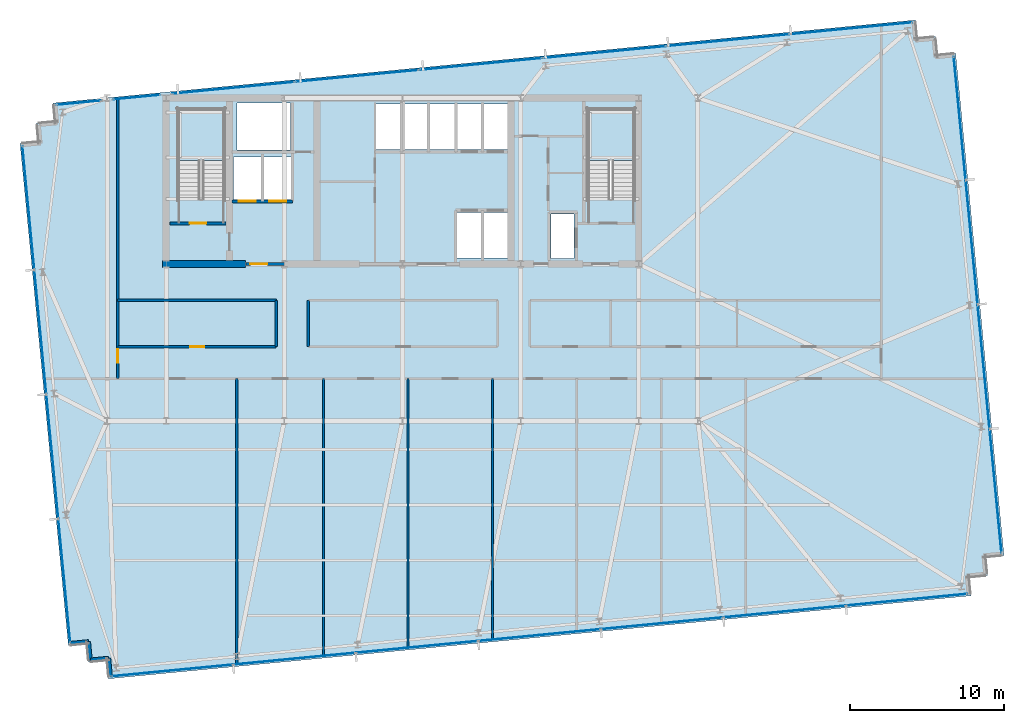
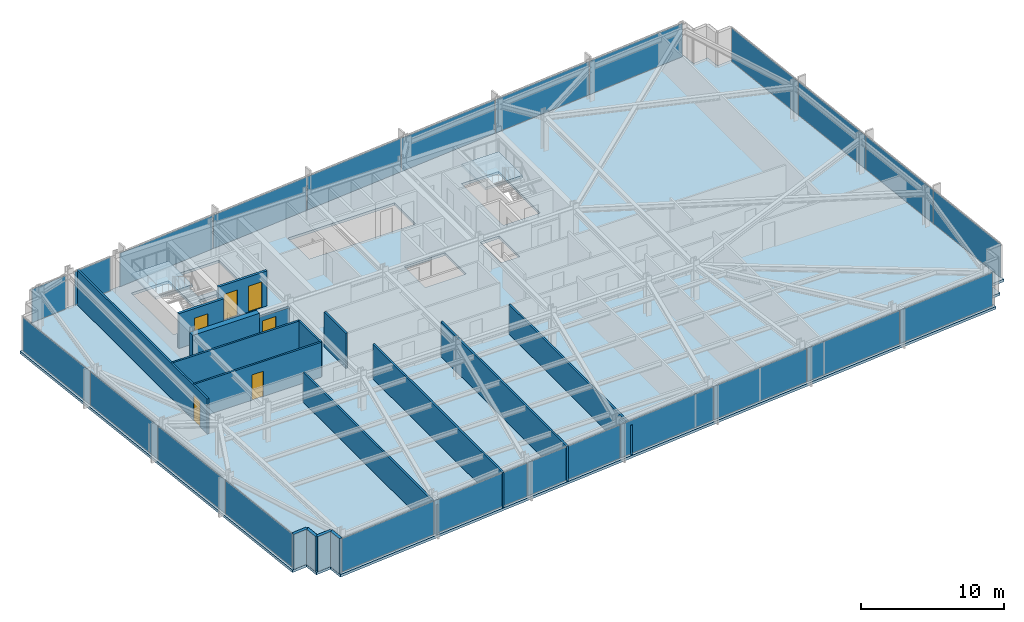
# One storey, part 24 of 32: 23 plates, 17 walls, 6 doors, 3 slabs, 6 openings, 8 elements without a shape of their own.
"""IFC4 building model written with IfcOpenShell, lengths in metres."""

from ifc_helpers import new_model, si_unit, direction, frame, frame_2d, origin, origin_2d, place, context, subcontext, project, spatial, polyline, rectangle, outline, extrude, material, layer, layer_set, type_object, element, fill, aggregate, save


model = new_model("IFC4")

# Units and contexts
model_context = context("Model", 3, precision=1e-05, world=origin(), true_north=direction((0.0, 1.0)))
body_context = subcontext(model_context, "Body", "Model", "MODEL_VIEW")
ifc_project = project(units=[si_unit("LENGTHUNIT", "METRE"), si_unit("AREAUNIT", "SQUARE_METRE"), si_unit("VOLUMEUNIT", "CUBIC_METRE"), si_unit("PLANEANGLEUNIT", "RADIAN"), si_unit("MASSUNIT", "GRAM", prefix="KILO")], contexts=[model_context])

# Site, building, storey
site_placement = place(None, origin())
site = spatial("IfcSite", under=ifc_project, at=site_placement, CompositionType="ELEMENT")
building_placement = place(site_placement, origin())
building = spatial("IfcBuilding", under=site, at=building_placement, Name="Yelkora Congress Tower", CompositionType="ELEMENT")
storey_placement = place(building_placement, frame((0.0, 0.0, 133.89990234375)))
storey = spatial("IfcBuildingStorey", under=building, at=storey_placement, Name="L36", CompositionType="ELEMENT", Elevation=133.89990234375)

# Curtain wall, plates
ifc_material_1 = material(Name="Anodised aluminium and insulated glass", Category="aluminium")
curtain_wall_type = type_object("IfcCurtainWallType", Name="CW-SYS-B2", PredefinedType="NOTDEFINED", material=ifc_material_1)
curtain_wall_1_placement = place(storey_placement, origin())
curtain_wall_1 = element("IfcCurtainWall", 1, at=curtain_wall_1_placement, inside=storey, type_object=curtain_wall_type, Name="L36 Unitised Curtain Wall 5", PredefinedType="NOTDEFINED")
ifc_material_2 = material(Name="Solar-control low-E glass unit B2", Category="glass")
ifc_layer_1 = layer(ifc_material_2, 0.0380859375)
ifc_layer_set_1 = layer_set([ifc_layer_1], Name="Solar-control low-E glass unit B2")
plate_type = type_object("IfcPlateType", Name="PLT-PN-B2", PredefinedType="CURTAIN_PANEL", material=ifc_layer_set_1)
plate_1_placement = place(storey_placement, frame((16.41650390625, 14.820068359375, 0.06494140625), z_axis=(0.0, 0.0, 1.0), x_axis=(-0.095842541913, 0.995396507508, 0.0)))
plate_1 = element("IfcPlate", 2, at=plate_1_placement, type_object=plate_type, Name="CW-B2 panel 1.1", PredefinedType="CURTAIN_PANEL", context=body_context, shape_type="SweptSolid", body=[
    extrude(rectangle(XDim=8.02490234375, YDim=0.0380859375, at=origin_2d()), origin(), (0.0, 0.0, 1.0), 2.85009765625),
])
plate_2_placement = place(storey_placement, frame((15.638916015625, 22.895263671875, 0.06494140625), z_axis=(0.0, 0.0, 1.0), x_axis=(-0.095842541913, 0.995396507508, 0.0)))
plate_2 = element("IfcPlate", 3, at=plate_2_placement, type_object=plate_type, Name="CW-B2 panel 2.1", PredefinedType="CURTAIN_PANEL", context=body_context, shape_type="SweptSolid", body=[
    extrude(rectangle(XDim=8.06005859375, YDim=0.0380859375, at=origin_2d()), origin(), (0.0, 0.0, 1.0), 2.85009765625),
])
plate_3_placement = place(storey_placement, frame((14.859619140625, 30.98779296875, 0.06494140625), z_axis=(0.0, 0.0, 1.0), x_axis=(-0.095842541913, 0.995396507508, 0.0)))
plate_3 = element("IfcPlate", 4, at=plate_3_placement, type_object=plate_type, Name="CW-B2 panel 3.1", PredefinedType="CURTAIN_PANEL", context=body_context, shape_type="SweptSolid", body=[
    extrude(rectangle(XDim=8.06005859375, YDim=0.0380859375, at=origin_2d()), origin(), (0.0, 0.0, 1.0), 2.85009765625),
])
plate_4_placement = place(storey_placement, frame((14.082275390625, 39.06298828125, 0.06494140625), z_axis=(0.0, 0.0, 1.0), x_axis=(-0.095842541913, 0.995396507508, 0.0)))
plate_4 = element("IfcPlate", 5, at=plate_4_placement, type_object=plate_type, Name="CW-B2 panel 4.1", PredefinedType="CURTAIN_PANEL", context=body_context, shape_type="SweptSolid", body=[
    extrude(rectangle(XDim=8.02490234375, YDim=0.0380859375, at=origin_2d()), origin(), (0.0, 0.0, 1.0), 2.85009765625),
])
aggregate(curtain_wall_1, [plate_1, plate_2, plate_3, plate_4])

# Curtain wall, plate
curtain_wall_2_placement = place(storey_placement, origin())
curtain_wall_2 = element("IfcCurtainWall", 6, at=curtain_wall_2_placement, inside=storey, type_object=curtain_wall_type, Name="L36 Unitised Curtain Wall 10 (1)", PredefinedType="NOTDEFINED")
plate_5_placement = place(storey_placement, frame((17.35888671875, 45.89111328125, 0.06494140625), z_axis=(0.0, 0.0, 1.0), x_axis=(0.99539681521, 0.095839346142, 0.0)))
plate_5 = element("IfcPlate", 7, at=plate_5_placement, type_object=plate_type, Name="CW-B2 panel 1.1", PredefinedType="CURTAIN_PANEL", context=body_context, shape_type="SweptSolid", body=[
    extrude(rectangle(XDim=2.89208984375, YDim=0.0380859375, at=origin_2d()), origin(), (0.0, 0.0, 1.0), 2.85009765625),
])
aggregate(curtain_wall_2, [plate_5])

curtain_wall_3_placement = place(storey_placement, origin())
curtain_wall_3 = element("IfcCurtainWall", 8, at=curtain_wall_3_placement, inside=storey, type_object=curtain_wall_type, Name="L36 Unitised Curtain Wall 10 (2)", PredefinedType="NOTDEFINED")
plate_6_placement = place(storey_placement, frame((21.1201171875, 46.253173828125, 0.06494140625), z_axis=(0.0, 0.0, 1.0), x_axis=(0.99539661748, 0.095841399764, 0.0)))
plate_6 = element("IfcPlate", 9, at=plate_6_placement, type_object=plate_type, Name="CW-B2 panel 1.1", PredefinedType="CURTAIN_PANEL", context=body_context, shape_type="SweptSolid", body=[
    extrude(rectangle(XDim=3.05078125, YDim=0.0380859375, at=origin_2d()), origin(), (0.0, 0.0, 1.0), 2.85009765625),
])
aggregate(curtain_wall_3, [plate_6])

# Curtain wall, plates
curtain_wall_4_placement = place(storey_placement, origin())
curtain_wall_4 = element("IfcCurtainWall", 10, at=curtain_wall_4_placement, inside=storey, type_object=curtain_wall_type, Name="L36 Unitised Curtain Wall 10 (3)", PredefinedType="NOTDEFINED")
plate_7_placement = place(storey_placement, frame((27.409423828125, 46.858642578125, 0.06494140625), z_axis=(0.0, 0.0, 1.0), x_axis=(0.995396344153, 0.095844238468, 0.0)))
plate_7 = element("IfcPlate", 11, at=plate_7_placement, type_object=plate_type, Name="CW-B2 panel 1.1", PredefinedType="CURTAIN_PANEL", context=body_context, shape_type="SweptSolid", body=[
    extrude(rectangle(XDim=7.97216796875, YDim=0.0380859375, at=origin_2d()), origin(), (0.0, 0.0, 1.0), 2.85009765625),
])
plate_8_placement = place(storey_placement, frame((35.431884765625, 47.631103515625, 0.06494140625), z_axis=(0.0, 0.0, 1.0), x_axis=(0.995396344153, 0.095844238468, 0.0)))
plate_8 = element("IfcPlate", 12, at=plate_8_placement, type_object=plate_type, Name="CW-B2 panel 2.1", PredefinedType="CURTAIN_PANEL", context=body_context, shape_type="SweptSolid", body=[
    extrude(rectangle(XDim=8.007080078125, YDim=0.0380859375, at=origin_2d()), origin(), (0.0, 0.0, 1.0), 2.85009765625),
])
plate_9_placement = place(storey_placement, frame((43.471923828125, 48.4052734375, 0.06494140625), z_axis=(0.0, 0.0, 1.0), x_axis=(0.995396344153, 0.095844238468, 0.0)))
plate_9 = element("IfcPlate", 13, at=plate_9_placement, type_object=plate_type, Name="CW-B2 panel 3.1", PredefinedType="CURTAIN_PANEL", context=body_context, shape_type="SweptSolid", body=[
    extrude(rectangle(XDim=8.007080078125, YDim=0.0380859375, at=origin_2d()), origin(), (0.0, 0.0, 1.0), 2.85009765625),
])
plate_10_placement = place(storey_placement, frame((51.511962890625, 49.179443359375, 0.06494140625), z_axis=(0.0, 0.0, 1.0), x_axis=(0.995396344153, 0.095844238468, 0.0)))
plate_10 = element("IfcPlate", 14, at=plate_10_placement, type_object=plate_type, Name="CW-B2 panel 4.1", PredefinedType="CURTAIN_PANEL", context=body_context, shape_type="SweptSolid", body=[
    extrude(rectangle(XDim=8.007080078125, YDim=0.0380859375, at=origin_2d()), origin(), (0.0, 0.0, 1.0), 2.85009765625),
])
plate_11_placement = place(storey_placement, frame((59.552001953125, 49.95361328125, 0.06494140625), z_axis=(0.0, 0.0, 1.0), x_axis=(0.995396344153, 0.095844238468, 0.0)))
plate_11 = element("IfcPlate", 15, at=plate_11_placement, type_object=plate_type, Name="CW-B2 panel 5.1", PredefinedType="CURTAIN_PANEL", context=body_context, shape_type="SweptSolid", body=[
    extrude(rectangle(XDim=8.007080078125, YDim=0.0380859375, at=origin_2d()), origin(), (0.0, 0.0, 1.0), 2.85009765625),
])
plate_12_placement = place(storey_placement, frame((67.574462890625, 50.72607421875, 0.06494140625), z_axis=(0.0, 0.0, 1.0), x_axis=(0.995396344153, 0.095844238468, 0.0)))
plate_12 = element("IfcPlate", 16, at=plate_12_placement, type_object=plate_type, Name="CW-B2 panel 6.1", PredefinedType="CURTAIN_PANEL", context=body_context, shape_type="SweptSolid", body=[
    extrude(rectangle(XDim=7.97216796875, YDim=0.0380859375, at=origin_2d()), origin(), (0.0, 0.0, 1.0), 2.85009765625),
])
aggregate(curtain_wall_4, [plate_7, plate_8, plate_9, plate_10, plate_11, plate_12])

curtain_wall_5_placement = place(storey_placement, origin())
curtain_wall_5 = element("IfcCurtainWall", 17, at=curtain_wall_5_placement, inside=storey, type_object=curtain_wall_type, Name="L36 Unitised Curtain Wall 15", PredefinedType="NOTDEFINED")
plate_13_placement = place(storey_placement, frame((74.6220703125, 44.892333984375, 0.06494140625), z_axis=(0.0, 0.0, 1.0), x_axis=(0.095842541913, -0.995396507508, 0.0)))
plate_13 = element("IfcPlate", 18, at=plate_13_placement, type_object=plate_type, Name="CW-B2 panel 1.1", PredefinedType="CURTAIN_PANEL", context=body_context, shape_type="SweptSolid", body=[
    extrude(rectangle(XDim=8.02490234375, YDim=0.0380859375, at=origin_2d()), origin(), (0.0, 0.0, 1.0), 2.85009765625),
])
plate_14_placement = place(storey_placement, frame((75.399658203125, 36.817138671875, 0.06494140625), z_axis=(0.0, 0.0, 1.0), x_axis=(0.095842541913, -0.995396507508, 0.0)))
plate_14 = element("IfcPlate", 19, at=plate_14_placement, type_object=plate_type, Name="CW-B2 panel 2.1", PredefinedType="CURTAIN_PANEL", context=body_context, shape_type="SweptSolid", body=[
    extrude(rectangle(XDim=8.06005859375, YDim=0.0380859375, at=origin_2d()), origin(), (0.0, 0.0, 1.0), 2.85009765625),
])
plate_15_placement = place(storey_placement, frame((76.178955078125, 28.724609375, 0.06494140625), z_axis=(0.0, 0.0, 1.0), x_axis=(0.095842541913, -0.995396507508, 0.0)))
plate_15 = element("IfcPlate", 20, at=plate_15_placement, type_object=plate_type, Name="CW-B2 panel 3.1", PredefinedType="CURTAIN_PANEL", context=body_context, shape_type="SweptSolid", body=[
    extrude(rectangle(XDim=8.06005859375, YDim=0.0380859375, at=origin_2d()), origin(), (0.0, 0.0, 1.0), 2.85009765625),
])
plate_16_placement = place(storey_placement, frame((76.95654296875, 20.6494140625, 0.06494140625), z_axis=(0.0, 0.0, 1.0), x_axis=(0.095842541913, -0.995396507508, 0.0)))
plate_16 = element("IfcPlate", 21, at=plate_16_placement, type_object=plate_type, Name="CW-B2 panel 4.1", PredefinedType="CURTAIN_PANEL", context=body_context, shape_type="SweptSolid", body=[
    extrude(rectangle(XDim=8.02490234375, YDim=0.0380859375, at=origin_2d()), origin(), (0.0, 0.0, 1.0), 2.85009765625),
])
aggregate(curtain_wall_5, [plate_13, plate_14, plate_15, plate_16])

curtain_wall_6_placement = place(storey_placement, origin())
curtain_wall_6 = element("IfcCurtainWall", 22, at=curtain_wall_6_placement, inside=storey, type_object=curtain_wall_type, Name="L36 Unitised Curtain Wall 20", PredefinedType="NOTDEFINED")
plate_17_placement = place(storey_placement, frame((71.1884765625, 13.58154296875, 0.06494140625), z_axis=(0.0, 0.0, 1.0), x_axis=(-0.995396333816, -0.095844345816, 0.0)))
plate_17 = element("IfcPlate", 23, at=plate_17_placement, type_object=plate_type, Name="CW-B2 panel 1.1", PredefinedType="CURTAIN_PANEL", context=body_context, shape_type="SweptSolid", body=[
    extrude(rectangle(XDim=7.89794921875, YDim=0.0380859375, at=origin_2d()), origin(), (0.0, 0.0, 1.0), 2.85009765625),
])
plate_18_placement = place(storey_placement, frame((63.23974609375, 12.816162109375, 0.06494140625), z_axis=(0.0, 0.0, 1.0), x_axis=(-0.995396333816, -0.095844345816, 0.0)))
plate_18 = element("IfcPlate", 24, at=plate_18_placement, type_object=plate_type, Name="CW-B2 panel 2.1", PredefinedType="CURTAIN_PANEL", context=body_context, shape_type="SweptSolid", body=[
    extrude(rectangle(XDim=7.932861328125, YDim=0.0380859375, at=origin_2d()), origin(), (0.0, 0.0, 1.0), 2.85009765625),
])
plate_19_placement = place(storey_placement, frame((55.273681640625, 12.049072265625, 0.06494140625), z_axis=(0.0, 0.0, 1.0), x_axis=(-0.995396333816, -0.095844345816, 0.0)))
plate_19 = element("IfcPlate", 25, at=plate_19_placement, type_object=plate_type, Name="CW-B2 panel 3.1", PredefinedType="CURTAIN_PANEL", context=body_context, shape_type="SweptSolid", body=[
    extrude(rectangle(XDim=7.932861328125, YDim=0.0380859375, at=origin_2d()), origin(), (0.0, 0.0, 1.0), 2.85009765625),
])
plate_20_placement = place(storey_placement, frame((47.307861328125, 11.281982421875, 0.06494140625), z_axis=(0.0, 0.0, 1.0), x_axis=(-0.995396333816, -0.095844345816, 0.0)))
plate_20 = element("IfcPlate", 26, at=plate_20_placement, type_object=plate_type, Name="CW-B2 panel 4.1", PredefinedType="CURTAIN_PANEL", context=body_context, shape_type="SweptSolid", body=[
    extrude(rectangle(XDim=7.932861328125, YDim=0.0380859375, at=origin_2d()), origin(), (0.0, 0.0, 1.0), 2.85009765625),
])
plate_21_placement = place(storey_placement, frame((39.341796875, 10.51513671875, 0.06494140625), z_axis=(0.0, 0.0, 1.0), x_axis=(-0.995396333816, -0.095844345816, 0.0)))
plate_21 = element("IfcPlate", 27, at=plate_21_placement, type_object=plate_type, Name="CW-B2 panel 5.1", PredefinedType="CURTAIN_PANEL", context=body_context, shape_type="SweptSolid", body=[
    extrude(rectangle(XDim=7.932861328125, YDim=0.0380859375, at=origin_2d()), origin(), (0.0, 0.0, 1.0), 2.85009765625),
])
plate_22_placement = place(storey_placement, frame((31.375732421875, 9.748046875, 0.06494140625), z_axis=(0.0, 0.0, 1.0), x_axis=(-0.995396333816, -0.095844345816, 0.0)))
plate_22 = element("IfcPlate", 28, at=plate_22_placement, type_object=plate_type, Name="CW-B2 panel 6.1", PredefinedType="CURTAIN_PANEL", context=body_context, shape_type="SweptSolid", body=[
    extrude(rectangle(XDim=7.932861328125, YDim=0.0380859375, at=origin_2d()), origin(), (0.0, 0.0, 1.0), 2.85009765625),
])
plate_23_placement = place(storey_placement, frame((23.42724609375, 8.982666015625, 0.06494140625), z_axis=(0.0, 0.0, 1.0), x_axis=(-0.995396333816, -0.095844345816, 0.0)))
plate_23 = element("IfcPlate", 29, at=plate_23_placement, type_object=plate_type, Name="CW-B2 panel 7.1", PredefinedType="CURTAIN_PANEL", context=body_context, shape_type="SweptSolid", body=[
    extrude(rectangle(XDim=7.89794921875, YDim=0.0380859375, at=origin_2d()), origin(), (0.0, 0.0, 1.0), 2.85009765625),
])
aggregate(curtain_wall_6, [plate_17, plate_18, plate_19, plate_20, plate_21, plate_22, plate_23])

# Stair, slab
ifc_material_3 = material(Name="Concrete C40/50", Category="concrete")
stair_type = type_object("IfcStairType", Name="STAIR-HT-1420-R20-170", PredefinedType="HALF_TURN_STAIR", material=ifc_material_3)
stair_1_placement = place(storey_placement, origin())
stair_1 = element("IfcStair", 30, at=stair_1_placement, inside=storey, type_object=stair_type, Name="West Core Protected Exit Stair ST-01 (L36)", PredefinedType="HALF_TURN_STAIR")
ifc_layer_2 = layer(ifc_material_3, 0.219970703125)
ifc_layer_set_2 = layer_set([ifc_layer_2], Name="Concrete C40/50")
slab_type_1 = type_object("IfcSlabType", Name="SLAB-LANDING-220", PredefinedType="LANDING", material=ifc_layer_set_2)
slab_1_placement = place(storey_placement, frame((0.0, 0.0, 1.47998046875)))
slab_1 = element("IfcSlab", 31, at=slab_1_placement, type_object=slab_type_1, Name="ST-01 L36 Half Landing 1", PredefinedType="LANDING", context=body_context, shape_type="SweptSolid", body=[
    extrude(outline(polyline([(26.820068359375, 42.1201171875), (26.820068359375, 45.469970703125), (23.820068359375, 45.469970703125), (23.820068359375, 42.1201171875), (26.820068359375, 42.1201171875)])), origin(), (0.0, 0.0, 1.0), 0.22021484375),
])
aggregate(stair_1, [slab_1])

stair_2_placement = place(storey_placement, origin())
stair_2 = element("IfcStair", 32, at=stair_2_placement, inside=storey, type_object=stair_type, Name="East Core Protected Exit Stair ST-02 (L36)", PredefinedType="HALF_TURN_STAIR")
slab_2_placement = place(storey_placement, frame((0.0, 0.0, 1.47998046875)))
slab_2 = element("IfcSlab", 33, at=slab_2_placement, type_object=slab_type_1, Name="ST-02 L36 Half Landing 1", PredefinedType="LANDING", context=body_context, shape_type="SweptSolid", body=[
    extrude(outline(polyline([(53.4599609375, 42.1201171875), (53.4599609375, 45.469970703125), (50.4599609375, 45.469970703125), (50.4599609375, 42.1201171875), (53.4599609375, 42.1201171875)])), origin(), (0.0, 0.0, 1.0), 0.22021484375),
])
aggregate(stair_2, [slab_2])

# Slab
ifc_layer_3 = layer(ifc_material_3, 0.219970703125)
ifc_layer_set_3 = layer_set([ifc_layer_3], Name="Concrete C40/50")
slab_type_2 = type_object("IfcSlabType", Name="SLAB-TWR-220", PredefinedType="FLOOR", material=ifc_layer_set_3)
slab_3_placement = place(storey_placement, frame((0.0, 0.0, -0.219970703125)))
element("IfcSlab", 34, at=slab_3_placement, inside=storey, type_object=slab_type_2, Name="L36 Structural Floor Slab", PredefinedType="FLOOR", context=body_context, shape_type="SweptSolid", body=[
    extrude(outline(polyline([(19.30078125, 8.444580078125), (75.341552734375, 13.8408203125), (75.2265625, 15.035400390625), (76.421142578125, 15.150390625), (76.30615234375, 16.3447265625), (77.50048828125, 16.459716796875), (74.356689453125, 49.10888671875), (73.162353515625, 48.99365234375), (73.04736328125, 50.188232421875), (71.852783203125, 50.0732421875), (71.73779296875, 51.267578125), (15.697021484375, 45.87158203125), (15.81201171875, 44.677001953125), (14.61767578125, 44.56201171875), (14.732666015625, 43.36767578125), (13.5380859375, 43.252685546875), (16.681884765625, 10.603515625), (17.876220703125, 10.718505859375), (17.9912109375, 9.524169921875), (19.185791015625, 9.63916015625), (19.30078125, 8.444580078125)]), holes=[polyline([(23.820068359375, 39.6298828125), (26.820068359375, 39.6298828125), (26.820068359375, 45.469970703125), (23.820068359375, 45.469970703125), (23.820068359375, 39.6298828125)]), polyline([(50.4599609375, 39.6298828125), (53.4599609375, 39.6298828125), (53.4599609375, 45.469970703125), (50.4599609375, 45.469970703125), (50.4599609375, 39.6298828125)]), polyline([(48.050048828125, 35.75), (49.550048828125, 35.75), (49.550048828125, 38.64990234375), (48.050048828125, 38.64990234375), (48.050048828125, 35.75)]), polyline([(36.64990234375, 42.85009765625), (45.25, 42.85009765625), (45.25, 45.800048828125), (36.64990234375, 45.800048828125), (36.64990234375, 42.85009765625)]), polyline([(41.949951171875, 35.800048828125), (45.25, 35.800048828125), (45.25, 38.75), (41.949951171875, 38.75), (41.949951171875, 35.800048828125)]), polyline([(27.419921875, 39.60009765625), (31.179931640625, 39.60009765625), (31.179931640625, 42.35009765625), (27.419921875, 42.35009765625), (27.419921875, 39.60009765625)]), polyline([(27.64990234375, 42.820068359375), (31.1201171875, 42.820068359375), (31.1201171875, 45.8798828125), (27.64990234375, 45.8798828125), (27.64990234375, 42.820068359375)])]), origin(), (0.0, 0.0, 1.0), 0.219970703125),
])

# Walls
ifc_material_4 = material(Name="Concrete C60/75", Category="concrete")
ifc_layer_4 = layer(ifc_material_4, 0.449951171875)
ifc_layer_set_4 = layer_set([ifc_layer_4], Name="Concrete C60/75")
wall_type_1 = type_object("IfcWallType", Name="WALL-CORE-INT-450", PredefinedType="SHEAR", material=ifc_layer_set_4)
wall_1_placement = place(storey_placement, frame((22.81494140625, 35.39990234375, 0.0), z_axis=(0.0, 0.0, 1.0), x_axis=(1.0, 0.0, 0.0)))
element("IfcWall", 35, at=wall_1_placement, inside=storey, type_object=wall_type_1, Name="L36 Rear Core South-West Shear Wall", PredefinedType="SHEAR", context=body_context, shape_type="SweptSolid", body=[
    extrude(rectangle(XDim=5.385009765625, YDim=0.449951171875, at=frame_2d((2.6923828125, 0.0))), origin(), (0.0, 0.0, 1.0), 2.97998046875),
])
ifc_layer_5 = layer(ifc_material_3, 0.239990234375)
ifc_layer_set_5 = layer_set([ifc_layer_5], Name="Concrete C40/50")
wall_type_2 = type_object("IfcWallType", Name="WALL-EXT-LIMESTONE-240", PredefinedType="SOLIDWALL", material=ifc_layer_set_5)
for number, where, z_axis, x_axis, name in (
    (36, (19.4267578125, 8.597412109375, 0.0), (0.0, 0.0, 1.0), (-0.095817067274, 0.995398960025, 0.0), "L36 Serrated Corner Limestone Pier 1"),
    (37, (19.311767578125, 9.7919921875, 0.0), (0.0, 0.0, 1.0), (-0.995398960025, -0.095817067274, 0.0), "L36 Serrated Corner Limestone Pier 2"),
):
    element("IfcWall", number, at=place(storey_placement, frame(where, z_axis=z_axis, x_axis=x_axis)), inside=storey, type_object=wall_type_2, Name=name, PredefinedType="SOLIDWALL", context=body_context, shape_type="SweptSolid", body=[
        extrude(rectangle(XDim=1.2001953125, YDim=0.239990234375, at=frame_2d((0.60009765625, 0.0))), origin(), (0.0, 0.0, 1.0), 2.97998046875),
    ])
wall_2_placement = place(storey_placement, frame((18.1171875, 9.677001953125, 0.0), z_axis=(0.0, 0.0, 1.0), x_axis=(-0.095836473879, 0.995397091755, 0.0)))
element("IfcWall", 38, at=wall_2_placement, inside=storey, type_object=wall_type_2, Name="L36 Serrated Corner Limestone Pier 3", PredefinedType="SOLIDWALL", context=body_context, shape_type="SweptSolid", body=[
    extrude(rectangle(XDim=1.199951171875, YDim=0.239990234375, at=frame_2d((0.60009765625, 0.0))), origin(), (0.0, 0.0, 1.0), 2.97998046875),
])
wall_3_placement = place(storey_placement, frame((18.002197265625, 10.871337890625, 0.0), z_axis=(0.0, 0.0, 1.0), x_axis=(-0.995398960025, -0.095817067274, 0.0)))
element("IfcWall", 39, at=wall_3_placement, inside=storey, type_object=wall_type_2, Name="L36 Serrated Corner Limestone Pier 4", PredefinedType="SOLIDWALL", context=body_context, shape_type="SweptSolid", body=[
    extrude(rectangle(XDim=1.2001953125, YDim=0.239990234375, at=frame_2d((0.60009765625, 0.0))), origin(), (0.0, 0.0, 1.0), 2.97998046875),
])
ifc_material_5 = material(Name="Acoustic metal-stud gypsum partition", Category="gypsum")
ifc_layer_6 = layer(ifc_material_5, 0.14990234375)
ifc_layer_set_6 = layer_set([ifc_layer_6], Name="Acoustic metal-stud gypsum partition")
wall_type_3 = type_object("IfcWallType", Name="WALL-INT-150-NR", PredefinedType="PARTITIONING", material=ifc_layer_set_6)
wall_4_placement = place(storey_placement, frame((27.635009765625, 9.32763671875, 0.0), z_axis=(0.0, 0.0, 1.0), x_axis=(0.0, 1.0, 0.0)))
element("IfcWall", 40, at=wall_4_placement, inside=storey, type_object=wall_type_3, Name="L36 Partition Wall 27", PredefinedType="PARTITIONING", context=body_context, shape_type="SweptSolid", body=[
    extrude(rectangle(XDim=18.642333984375, YDim=0.14990234375, at=frame_2d((9.3212890625, 0.0))), origin(), (0.0, 0.0, 1.0), 2.525146484375),
])
wall_5_placement = place(storey_placement, frame((33.27197265625, 9.870361328125, 0.0), z_axis=(0.0, 0.0, 1.0), x_axis=(0.0, 1.0, 0.0)))
element("IfcWall", 41, at=wall_5_placement, inside=storey, type_object=wall_type_3, Name="L36 Partition Wall 28", PredefinedType="PARTITIONING", context=body_context, shape_type="SweptSolid", body=[
    extrude(rectangle(XDim=18.099609375, YDim=0.14990234375, at=frame_2d((9.0498046875, 0.0))), origin(), (0.0, 0.0, 1.0), 2.97998046875),
])
wall_6_placement = place(storey_placement, frame((38.759033203125, 10.398681640625, 0.0), z_axis=(0.0, 0.0, 1.0), x_axis=(0.0, 1.0, 0.0)))
element("IfcWall", 42, at=wall_6_placement, inside=storey, type_object=wall_type_3, Name="L36 Partition Wall 29", PredefinedType="PARTITIONING", context=body_context, shape_type="SweptSolid", body=[
    extrude(rectangle(XDim=17.5712890625, YDim=0.14990234375, at=frame_2d((8.78564453125, 0.0))), origin(), (0.0, 0.0, 1.0), 2.97998046875),
])
wall_7_placement = place(storey_placement, frame((44.24609375, 10.927001953125, 0.0), z_axis=(0.0, 0.0, 1.0), x_axis=(0.0, 1.0, 0.0)))
element("IfcWall", 43, at=wall_7_placement, inside=storey, type_object=wall_type_3, Name="L36 Partition Wall 30", PredefinedType="PARTITIONING", context=body_context, shape_type="SweptSolid", body=[
    extrude(rectangle(XDim=17.04296875, YDim=0.14990234375, at=frame_2d((8.521484375, 0.0))), origin(), (0.0, 0.0, 1.0), 2.525146484375),
])

# Wall, opening, door
wall_8_placement = place(storey_placement, frame((19.89208984375, 27.949951171875, 0.0), z_axis=(0.0, 0.0, 1.0), x_axis=(0.0, 1.0, 0.0)))
wall_8 = element("IfcWall", 44, at=wall_8_placement, inside=storey, type_object=wall_type_3, Name="L36 Partition Wall 35", PredefinedType="PARTITIONING", context=body_context, shape_type="SweptSolid", body=[
    extrude(rectangle(XDim=18.245361328125, YDim=0.14990234375, at=frame_2d((9.12255859375, 0.0))), origin(), (0.0, 0.0, 1.0), 2.97998046875),
])
opening_1_placement = place(wall_8_placement, frame((1.030029296875, 0.0, 0.0)))
opening_1 = element("IfcOpeningElement", 45, at=opening_1_placement, cuts=wall_8, Name="Opening DR-090N", PredefinedType="OPENING", context=body_context, shape_type="SweptSolid", body=[
    extrude(rectangle(XDim=0.89990234375, YDim=2.14990234375, at=frame_2d((0.449951171875, 1.074951171875))), frame((0.0, 0.0849609375, 0.0), z_axis=(0.0, -1.0, 0.0), x_axis=(1.0, 0.0, 0.0)), (0.0, 0.0, 1.0), 0.169921875),
])
ifc_material_6 = material(Name="Moisture-resistant laminate door leaf", Category="wood")
door_type_1 = type_object("IfcDoorType", Name="DOOR-INT-900", OperationType="NOTDEFINED", PredefinedType="DOOR", material=ifc_material_6)
door_1_placement = place(opening_1_placement, origin())
door_1 = element("IfcDoor", 46, at=door_1_placement, inside=storey, type_object=door_type_1, Name="L36 W Wing Door", OperationType="SINGLE_SWING_LEFT", OverallHeight=2.14990234375, OverallWidth=0.89990234375, PredefinedType="DOOR", context=body_context, shape_type="SweptSolid", body=[
    extrude(rectangle(XDim=0.89990234375, YDim=2.14990234375, at=frame_2d((0.449951171875, 1.074951171875))), frame((0.0, 0.02490234375, 0.0), z_axis=(0.0, -1.0, 0.0), x_axis=(1.0, 0.0, 0.0)), (0.0, 0.0, 1.0), 0.050048828125),
])
fill(opening_1, door_1)

# Walls
for number, where, z_axis, x_axis, name in (
    (47, (30.199951171875, 30.030029296875, 0.0), (0.0, 0.0, 1.0), (0.0, 1.0, 0.0), "L36 Partition Wall 37"),
    (48, (32.280029296875, 30.030029296875, 0.0), (0.0, 0.0, 1.0), (0.0, 1.0, 0.0), "L36 Partition Wall 38"),
):
    element("IfcWall", number, at=place(storey_placement, frame(where, z_axis=z_axis, x_axis=x_axis)), inside=storey, type_object=wall_type_3, Name=name, PredefinedType="PARTITIONING", context=body_context, shape_type="SweptSolid", body=[
        extrude(rectangle(XDim=3.02001953125, YDim=0.14990234375, at=frame_2d((1.510009765625, 0.0))), origin(), (0.0, 0.0, 1.0), 2.97998046875),
    ])
wall_9_placement = place(storey_placement, frame((19.89208984375, 33.050048828125, 0.0), z_axis=(0.0, 0.0, 1.0), x_axis=(1.0, 0.0, 0.0)))
element("IfcWall", 49, at=wall_9_placement, inside=storey, type_object=wall_type_3, Name="L36 Partition Wall 41", PredefinedType="PARTITIONING", context=body_context, shape_type="SweptSolid", body=[
    extrude(rectangle(XDim=10.307861328125, YDim=0.14990234375, at=frame_2d((5.15380859375, 0.0))), origin(), (0.0, 0.0, 1.0), 2.97998046875),
])

# Wall, opening, door
wall_10_placement = place(storey_placement, frame((19.912109375, 30.030029296875, 0.0), z_axis=(0.0, 0.0, 1.0), x_axis=(1.0, 0.0, 0.0)))
wall_10 = element("IfcWall", 50, at=wall_10_placement, inside=storey, type_object=wall_type_3, Name="L36 Partition Wall 44", PredefinedType="PARTITIONING", context=body_context, shape_type="SweptSolid", body=[
    extrude(rectangle(XDim=10.27783203125, YDim=0.14990234375, at=frame_2d((5.138916015625, 0.0))), origin(), (0.0, 0.0, 1.0), 2.97998046875),
])
opening_2_placement = place(wall_10_placement, frame((4.68896484375, 0.0, 0.0)))
opening_2 = element("IfcOpeningElement", 51, at=opening_2_placement, cuts=wall_10, Name="Opening DR-090N", PredefinedType="OPENING", context=body_context, shape_type="SweptSolid", body=[
    extrude(rectangle(XDim=0.89990234375, YDim=2.14990234375, at=frame_2d((0.449951171875, 1.074951171875))), frame((0.0, 0.0849609375, 0.0), z_axis=(0.0, -1.0, 0.0), x_axis=(1.0, 0.0, 0.0)), (0.0, 0.0, 1.0), 0.169921875),
])
door_2_placement = place(opening_2_placement, origin())
door_2 = element("IfcDoor", 52, at=door_2_placement, inside=storey, type_object=door_type_1, Name="L36 Executive Club Bar Door", OperationType="SINGLE_SWING_LEFT", OverallHeight=2.14990234375, OverallWidth=0.89990234375, PredefinedType="DOOR", context=body_context, shape_type="SweptSolid", body=[
    extrude(rectangle(XDim=0.89990234375, YDim=2.14990234375, at=frame_2d((0.449951171875, 1.074951171875))), frame((0.0, 0.02490234375, 0.0), z_axis=(0.0, -1.0, 0.0), x_axis=(1.0, 0.0, 0.0)), (0.0, 0.0, 1.0), 0.050048828125),
])
fill(opening_2, door_2)

ifc_material_7 = material(Name="Autoclaved aerated concrete blockwork", Category="masonry")
ifc_layer_7 = layer(ifc_material_7, 0.199951171875)
ifc_layer_set_7 = layer_set([ifc_layer_7], Name="Autoclaved aerated concrete blockwork")
wall_type_4 = type_object("IfcWallType", Name="WALL-INT-200-R120", PredefinedType="PARTITIONING", material=ifc_layer_set_7)
wall_11_placement = place(storey_placement, frame((23.300048828125, 38.050048828125, 0.0), z_axis=(0.0, 0.0, 1.0), x_axis=(1.0, 0.0, 0.0)))
wall_11 = element("IfcWall", 53, at=wall_11_placement, inside=storey, type_object=wall_type_4, Name="L36 Stair ST-01 Enclosure Wall", PredefinedType="PARTITIONING", context=body_context, shape_type="SweptSolid", body=[
    extrude(rectangle(XDim=3.619873046875, YDim=0.199951171875, at=frame_2d((1.81005859375, 0.0))), origin(), (0.0, 0.0, 1.0), 2.97998046875),
])
opening_3_placement = place(wall_11_placement, frame((1.260009765625, 0.0, 0.0)))
opening_3 = element("IfcOpeningElement", 54, at=opening_3_placement, cuts=wall_11, Name="Opening DR-110F9", PredefinedType="OPENING", context=body_context, shape_type="SweptSolid", body=[
    extrude(rectangle(XDim=1.10009765625, YDim=2.14990234375, at=frame_2d((0.550048828125, 1.074951171875))), frame((0.0, 0.10986328125, 0.0), z_axis=(0.0, -1.0, 0.0), x_axis=(1.0, 0.0, 0.0)), (0.0, 0.0, 1.0), 0.219970703125),
])
ifc_material_8 = material(Name="Galvanised steel fire door leaf", Category="steel")
door_type_2 = type_object("IfcDoorType", Name="DOOR-FD90-1100", OperationType="NOTDEFINED", PredefinedType="DOOR", material=ifc_material_8)
door_3_placement = place(opening_3_placement, origin())
door_3 = element("IfcDoor", 55, at=door_3_placement, inside=storey, type_object=door_type_2, Name="L36 Stair ST-01 Entry Door", OperationType="SINGLE_SWING_LEFT", OverallHeight=2.14990234375, OverallWidth=1.10009765625, PredefinedType="DOOR", context=body_context, shape_type="SweptSolid", body=[
    extrude(rectangle(XDim=1.10009765625, YDim=2.14990234375, at=frame_2d((0.550048828125, 1.074951171875))), frame((0.0, 0.02490234375, 0.0), z_axis=(0.0, -1.0, 0.0), x_axis=(1.0, 0.0, 0.0)), (0.0, 0.0, 1.0), 0.050048828125),
])
fill(opening_3, door_3)

wall_12_placement = place(storey_placement, frame((28.219970703125, 35.39990234375, 0.0), z_axis=(0.0, 0.0, 1.0), x_axis=(1.0, 0.0, 0.0)))
wall_12 = element("IfcWall", 56, at=wall_12_placement, inside=storey, type_object=wall_type_4, Name="L36 Firefighting Lobby South Wall", PredefinedType="PARTITIONING", context=body_context, shape_type="SweptSolid", body=[
    extrude(rectangle(XDim=2.5, YDim=0.199951171875, at=frame_2d((1.25, 0.0))), origin(), (0.0, 0.0, 1.0), 2.525146484375),
])
opening_4_placement = place(wall_12_placement, frame((0.300048828125, 0.0, 0.0)))
opening_4 = element("IfcOpeningElement", 57, at=opening_4_placement, cuts=wall_12, Name="Opening DR-110F9", PredefinedType="OPENING", context=body_context, shape_type="SweptSolid", body=[
    extrude(rectangle(XDim=1.10009765625, YDim=2.14990234375, at=frame_2d((0.550048828125, 1.074951171875))), frame((0.0, 0.10986328125, 0.0), z_axis=(0.0, -1.0, 0.0), x_axis=(1.0, 0.0, 0.0)), (0.0, 0.0, 1.0), 0.219970703125),
])
door_4_placement = place(opening_4_placement, origin())
door_4 = element("IfcDoor", 58, at=door_4_placement, inside=storey, type_object=door_type_2, Name="L36 Firefighting Lobby Corridor Door", OperationType="SINGLE_SWING_RIGHT", OverallHeight=2.14990234375, OverallWidth=1.10009765625, PredefinedType="DOOR", context=body_context, shape_type="SweptSolid", body=[
    extrude(rectangle(XDim=1.10009765625, YDim=2.14990234375, at=frame_2d((0.550048828125, 1.074951171875))), frame((0.0, 0.02490234375, 0.0), z_axis=(0.0, -1.0, 0.0), x_axis=(1.0, 0.0, 0.0)), (0.0, 0.0, 1.0), 0.050048828125),
])
fill(opening_4, door_4)

# Wall, openings, doors
wall_13_placement = place(storey_placement, frame((27.320068359375, 39.47998046875, 0.0), z_axis=(0.0, 0.0, 1.0), x_axis=(1.0, 0.0, 0.0)))
wall_13 = element("IfcWall", 59, at=wall_13_placement, inside=storey, type_object=wall_type_4, Name="L36 Firefighting Lift Front Wall", PredefinedType="PARTITIONING", context=body_context, shape_type="SweptSolid", body=[
    extrude(rectangle(XDim=3.93994140625, YDim=0.199951171875, at=frame_2d((1.969970703125, 0.0))), origin(), (0.0, 0.0, 1.0), 2.97998046875),
])
opening_5_placement = place(wall_13_placement, frame((0.449951171875, 0.0, 0.0)))
opening_5 = element("IfcOpeningElement", 60, at=opening_5_placement, cuts=wall_13, Name="Opening LD-FF11", PredefinedType="OPENING", context=body_context, shape_type="SweptSolid", body=[
    extrude(rectangle(XDim=1.10009765625, YDim=2.199951171875, at=frame_2d((0.550048828125, 1.10009765625))), frame((0.0, 0.10986328125, 0.0), z_axis=(0.0, -1.0, 0.0), x_axis=(1.0, 0.0, 0.0)), (0.0, 0.0, 1.0), 0.219970703125),
])
opening_6_placement = place(wall_13_placement, frame((2.409912109375, 0.0, 0.0)))
opening_6 = element("IfcOpeningElement", 61, at=opening_6_placement, cuts=wall_13, Name="Opening LD-FF11", PredefinedType="OPENING", context=body_context, shape_type="SweptSolid", body=[
    extrude(rectangle(XDim=1.10009765625, YDim=2.199951171875, at=frame_2d((0.550048828125, 1.10009765625))), frame((0.0, 0.10986328125, 0.0), z_axis=(0.0, -1.0, 0.0), x_axis=(1.0, 0.0, 0.0)), (0.0, 0.0, 1.0), 0.219970703125),
])
ifc_material_9 = material(Name="Brushed stainless steel 316L landing door", Category="steel")
door_type_3 = type_object("IfcDoorType", Name="DOOR-LIFT-FF-1100", OperationType="DOUBLE_DOOR_SLIDING", PredefinedType="DOOR", material=ifc_material_9)
door_5_placement = place(opening_5_placement, origin())
door_5 = element("IfcDoor", 62, at=door_5_placement, inside=storey, type_object=door_type_3, Name="Lift Landing Door LF-FF1 L36", OperationType="DOUBLE_DOOR_SLIDING", OverallHeight=2.199951171875, OverallWidth=1.10009765625, PredefinedType="DOOR", context=body_context, shape_type="SweptSolid", body=[
    extrude(rectangle(XDim=1.10009765625, YDim=2.199951171875, at=frame_2d((0.550048828125, 1.10009765625))), frame((0.0, 0.02490234375, 0.0), z_axis=(0.0, -1.0, 0.0), x_axis=(1.0, 0.0, 0.0)), (0.0, 0.0, 1.0), 0.050048828125),
])
fill(opening_5, door_5)
door_6_placement = place(opening_6_placement, origin())
door_6 = element("IfcDoor", 63, at=door_6_placement, inside=storey, type_object=door_type_3, Name="Lift Landing Door LF-FF2 L36", OperationType="DOUBLE_DOOR_SLIDING", OverallHeight=2.199951171875, OverallWidth=1.10009765625, PredefinedType="DOOR", context=body_context, shape_type="SweptSolid", body=[
    extrude(rectangle(XDim=1.10009765625, YDim=2.199951171875, at=frame_2d((0.550048828125, 1.10009765625))), frame((0.0, 0.02490234375, 0.0), z_axis=(0.0, -1.0, 0.0), x_axis=(1.0, 0.0, 0.0)), (0.0, 0.0, 1.0), 0.050048828125),
])
fill(opening_6, door_6)

save(model, "model.ifc")
